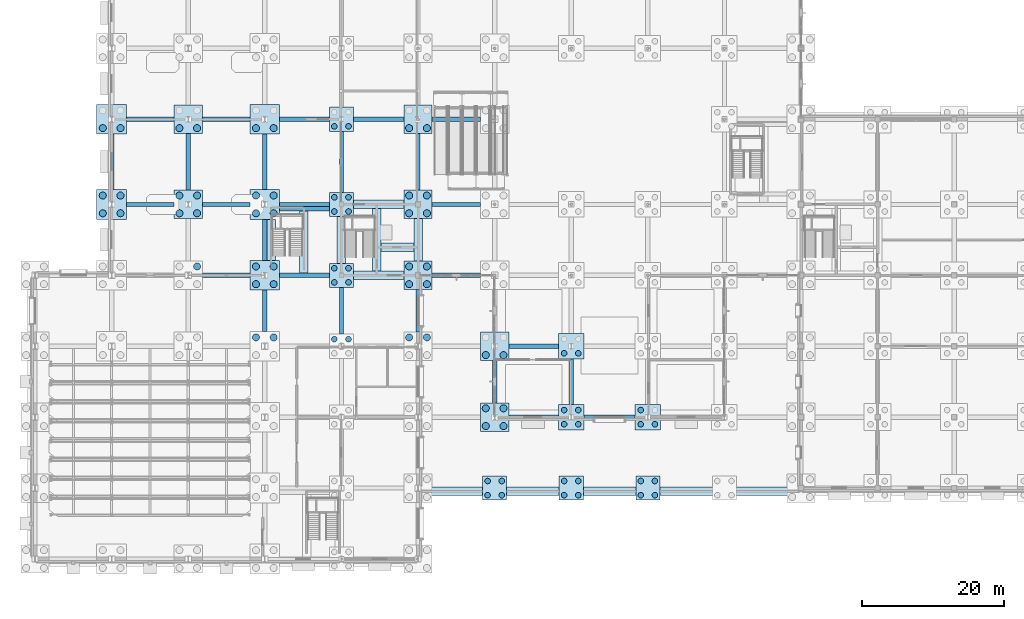
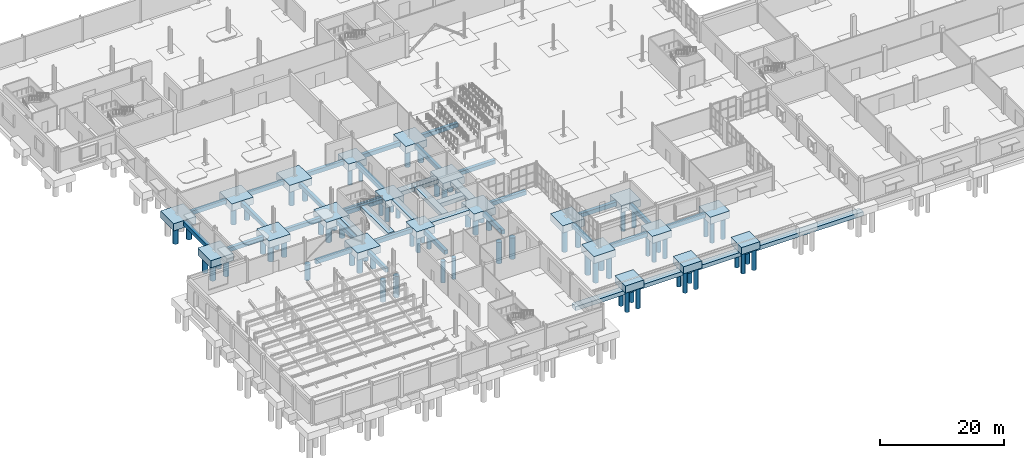
# One storey, part 2 of 73: 76 piles, 57 footings.
"""IFC4 building model written with IfcOpenShell, lengths in metres."""

from ifc_helpers import new_model, si_unit, direction, frame, origin, origin_2d, place, context, subcontext, project, spatial, rectangle, circle, extrude, material, material_profile, profile_set, type_object, element, save


model = new_model("IFC4")

# Units and contexts
model_context = context("Model", 3, precision=1e-05, world=origin(), true_north=direction((0.0, 1.0)))
body_context = subcontext(model_context, "Body", "Model", "MODEL_VIEW")
ifc_project = project(units=[si_unit("LENGTHUNIT", "METRE"), si_unit("AREAUNIT", "SQUARE_METRE"), si_unit("VOLUMEUNIT", "CUBIC_METRE"), si_unit("PLANEANGLEUNIT", "RADIAN"), si_unit("MASSUNIT", "GRAM", prefix="KILO")], contexts=[model_context])

# Site, building, storey
site_placement = place(None, origin())
site = spatial("IfcSite", under=ifc_project, at=site_placement, CompositionType="ELEMENT")
building_placement = place(site_placement, origin())
building = spatial("IfcBuilding", under=site, at=building_placement, Name="Tasgan Crest Museum", CompositionType="ELEMENT")
storey_placement = place(building_placement, origin())
storey = spatial("IfcBuildingStorey", under=building, at=storey_placement, Name="L00", CompositionType="ELEMENT", Elevation=0.0)

# Footings
ifc_material_1 = material(Name="Concrete C35/45", Category="concrete")
footing_type_1 = type_object("IfcFootingType", Name="FT-PC4-3400", PredefinedType="PILE_CAP", material=ifc_material_1)
for number, where, z_axis, x_axis, name in (
    (1, (43.199951171875, 40.0, -1.39990234375), (0.0, 0.0, 1.0), (1.0, 0.0, 0.0), "Pile cap 5/E"),
    (2, (43.199951171875, 50.0, -1.39990234375), (0.0, 0.0, 1.0), (1.0, 0.0, 0.0), "Pile cap 5/F"),
    (3, (43.199951171875, 62.0, -1.39990234375), (0.0, 0.0, 1.0), (1.0, 0.0, 0.0), "Pile cap 5/G"),
    (4, (64.800048828125, 10.0, -1.39990234375), (0.0, 0.0, 1.0), (1.0, 0.0, 0.0), "Forecourt pile cap 7/B"),
    (5, (75.60009765625, 10.0, -1.39990234375), (0.0, 0.0, 1.0), (1.0, 0.0, 0.0), "Forecourt pile cap 8/B"),
    (6, (86.39990234375, 10.0, -1.39990234375), (0.0, 0.0, 1.0), (1.0, 0.0, 0.0), "Forecourt pile cap 9/B"),
):
    element("IfcFooting", number, at=place(storey_placement, frame(where, z_axis=z_axis, x_axis=x_axis)), inside=storey, type_object=footing_type_1, Name=name, PredefinedType="PILE_CAP", context=body_context, shape_type="SweptSolid", body=[
        extrude(rectangle(XDim=3.39990234375, YDim=3.39990234375, at=origin_2d()), origin(), (0.0, 0.0, 1.0), 1.39990234375),
    ])
ifc_material_2 = material(Name="Concrete C35/45", Category="concrete")
footing_type_2 = type_object("IfcFootingType", Name="FT-PC4-3600", PredefinedType="PILE_CAP", material=ifc_material_2)
for number, where, z_axis, x_axis, name in (
    (7, (75.60009765625, 20.0, -1.39990234375), (0.0, 0.0, 1.0), (1.0, 0.0, 0.0), "Pile cap 8/C"),
    (8, (75.60009765625, 30.0, -1.39990234375), (0.0, 0.0, 1.0), (1.0, 0.0, 0.0), "Pile cap 8/D"),
    (9, (86.39990234375, 20.0, -1.39990234375), (0.0, 0.0, 1.0), (1.0, 0.0, 0.0), "Pile cap 9/C"),
):
    element("IfcFooting", number, at=place(storey_placement, frame(where, z_axis=z_axis, x_axis=x_axis)), inside=storey, type_object=footing_type_2, Name=name, PredefinedType="PILE_CAP", context=body_context, shape_type="SweptSolid", body=[
        extrude(rectangle(XDim=3.60009765625, YDim=3.60009765625, at=origin_2d()), origin(), (0.0, 0.0, 1.0), 1.39990234375),
    ])
ifc_material_3 = material(Name="Concrete C35/45", Category="concrete")
footing_type_3 = type_object("IfcFootingType", Name="FT-PC4-4000", PredefinedType="PILE_CAP", material=ifc_material_3)
for number, where, z_axis, x_axis, name in (
    (10, (21.60009765625, 50.0, -1.39990234375), (0.0, 0.0, 1.0), (1.0, 0.0, 0.0), "Pile cap 3/F"),
    (11, (21.60009765625, 62.0, -1.39990234375), (0.0, 0.0, 1.0), (1.0, 0.0, 0.0), "Pile cap 3/G"),
    (12, (54.0, 40.0, -1.39990234375), (0.0, 0.0, 1.0), (1.0, 0.0, 0.0), "Pile cap 6/E"),
    (13, (54.0, 50.0, -1.39990234375), (0.0, 0.0, 1.0), (1.0, 0.0, 0.0), "Pile cap 6/F"),
    (14, (54.0, 62.0, -1.39990234375), (0.0, 0.0, 1.0), (1.0, 0.0, 0.0), "Pile cap 6/G"),
    (15, (64.800048828125, 20.0, -1.39990234375), (0.0, 0.0, 1.0), (1.0, 0.0, 0.0), "Pile cap 7/C"),
    (16, (64.800048828125, 30.0, -1.39990234375), (0.0, 0.0, 1.0), (1.0, 0.0, 0.0), "Pile cap 7/D"),
):
    element("IfcFooting", number, at=place(storey_placement, frame(where, z_axis=z_axis, x_axis=x_axis)), inside=storey, type_object=footing_type_3, Name=name, PredefinedType="PILE_CAP", context=body_context, shape_type="SweptSolid", body=[
        extrude(rectangle(XDim=4.0, YDim=4.0, at=origin_2d()), origin(), (0.0, 0.0, 1.0), 1.39990234375),
    ])
ifc_material_4 = material(Name="Concrete C35/45", Category="concrete")
footing_type_4 = type_object("IfcFootingType", Name="FT-PC4-4200", PredefinedType="PILE_CAP", material=ifc_material_4)
for number, where, z_axis, x_axis, name in (
    (17, (10.800048828125, 50.0, -1.39990234375), (0.0, 0.0, 1.0), (1.0, 0.0, 0.0), "Pile cap 2/F"),
    (18, (10.800048828125, 62.0, -1.39990234375), (0.0, 0.0, 1.0), (1.0, 0.0, 0.0), "Pile cap 2/G"),
    (19, (32.39990234375, 40.0, -1.39990234375), (0.0, 0.0, 1.0), (1.0, 0.0, 0.0), "Pile cap 4/E"),
    (20, (32.39990234375, 50.0, -1.39990234375), (0.0, 0.0, 1.0), (1.0, 0.0, 0.0), "Pile cap 4/F"),
    (21, (32.39990234375, 62.0, -1.39990234375), (0.0, 0.0, 1.0), (1.0, 0.0, 0.0), "Pile cap 4/G"),
):
    element("IfcFooting", number, at=place(storey_placement, frame(where, z_axis=z_axis, x_axis=x_axis)), inside=storey, type_object=footing_type_4, Name=name, PredefinedType="PILE_CAP", context=body_context, shape_type="SweptSolid", body=[
        extrude(rectangle(XDim=4.199951171875, YDim=4.199951171875, at=origin_2d()), origin(), (0.0, 0.0, 1.0), 1.39990234375),
    ])
ifc_material_5 = material(Name="Concrete C35/45", Category="concrete")
ifc_material_profile_1 = material_profile(ifc_material_5, rectangle(XDim=1.199951171875, YDim=0.800048828125, at=origin_2d()), Name="SF 1200x800")
ifc_profile_set_1 = profile_set([ifc_material_profile_1], Name="Concrete C35/45")
footing_type_5 = type_object("IfcFootingType", Name="FT-SF-1200X800", PredefinedType="STRIP_FOOTING", material=ifc_profile_set_1)
footing_1_placement = place(storey_placement, frame((54.199951171875, 9.570068359375, -1.780029296875), z_axis=(1.0, 0.0, 0.0), x_axis=(0.0, 1.0, 0.0)))
element("IfcFooting", 22, at=footing_1_placement, inside=storey, type_object=footing_type_5, Name="Hillside plinth footing S-FORE", PredefinedType="STRIP_FOOTING", context=body_context, shape_type="SweptSolid", body=[
    extrude(rectangle(XDim=1.199951171875, YDim=0.800048828125, at=origin_2d()), origin(), (0.0, 0.0, 1.0), 53.60009765625),
])
footing_2_placement = place(storey_placement, frame((48.14990234375, 40.60009765625, -0.39990234375), z_axis=(0.0, 1.0, 0.0), x_axis=(-1.0, 0.0, 0.0)))
element("IfcFooting", 23, at=footing_2_placement, inside=storey, type_object=footing_type_5, Name="South-West Foyer & Paleontology Core dividing strip footing", PredefinedType="STRIP_FOOTING", context=body_context, shape_type="SweptSolid", body=[
    extrude(rectangle(XDim=1.199951171875, YDim=0.800048828125, at=origin_2d()), origin(), (0.0, 0.0, 1.0), 8.7998046875),
])
footing_3_placement = place(storey_placement, frame((48.75, 43.949951171875, -0.39990234375), z_axis=(1.0, 0.0, 0.0), x_axis=(0.0, 1.0, 0.0)))
element("IfcFooting", 24, at=footing_3_placement, inside=storey, type_object=footing_type_5, Name="South-West Foyer & Paleontology Core shaft strip footing", PredefinedType="STRIP_FOOTING", context=body_context, shape_type="SweptSolid", body=[
    extrude(rectangle(XDim=1.199951171875, YDim=0.800048828125, at=origin_2d()), origin(), (0.0, 0.0, 1.0), 4.64990234375),
])
for number, where, z_axis, x_axis, name in (
    (25, (44.89990234375, 40.0, -0.39990234375), (1.0, 0.0, 0.0), (0.0, 1.0, 0.0), "South-West Foyer & Paleontology Core S strip footing"),
    (26, (44.89990234375, 50.0, -0.39990234375), (1.0, 0.0, 0.0), (0.0, 1.0, 0.0), "South-West Foyer & Paleontology Core N strip footing"),
):
    element("IfcFooting", number, at=place(storey_placement, frame(where, z_axis=z_axis, x_axis=x_axis)), inside=storey, type_object=footing_type_5, Name=name, PredefinedType="STRIP_FOOTING", context=body_context, shape_type="SweptSolid", body=[
        extrude(rectangle(XDim=1.199951171875, YDim=0.800048828125, at=origin_2d()), origin(), (0.0, 0.0, 1.0), 7.10009765625),
    ])
footing_4_placement = place(storey_placement, frame((43.199951171875, 41.699951171875, -0.39990234375), z_axis=(0.0, 1.0, 0.0), x_axis=(-1.0, 0.0, 0.0)))
element("IfcFooting", 27, at=footing_4_placement, inside=storey, type_object=footing_type_5, Name="South-West Foyer & Paleontology Core W strip footing", PredefinedType="STRIP_FOOTING", context=body_context, shape_type="SweptSolid", body=[
    extrude(rectangle(XDim=1.199951171875, YDim=0.800048828125, at=origin_2d()), origin(), (0.0, 0.0, 1.0), 6.60009765625),
])
footing_5_placement = place(storey_placement, frame((54.0, 42.0, -0.39990234375), z_axis=(0.0, 1.0, 0.0), x_axis=(-1.0, 0.0, 0.0)))
element("IfcFooting", 28, at=footing_5_placement, inside=storey, type_object=footing_type_5, Name="South-West Foyer & Paleontology Core E strip footing", PredefinedType="STRIP_FOOTING", context=body_context, shape_type="SweptSolid", body=[
    extrude(rectangle(XDim=1.199951171875, YDim=0.800048828125, at=origin_2d()), origin(), (0.0, 0.0, 1.0), 6.0),
])
footing_6_placement = place(storey_placement, frame((33.320068359375, 42.10009765625, -0.39990234375), z_axis=(0.0, 1.0, 0.0), x_axis=(-1.0, 0.0, 0.0)))
element("IfcFooting", 29, at=footing_6_placement, inside=storey, type_object=footing_type_5, Name="GALP west footing", PredefinedType="STRIP_FOOTING", context=body_context, shape_type="SweptSolid", body=[
    extrude(rectangle(XDim=1.199951171875, YDim=0.800048828125, at=origin_2d()), origin(), (0.0, 0.0, 1.0), 5.7998046875),
])
footing_7_placement = place(storey_placement, frame((37.919921875, 40.300048828125, -0.39990234375), z_axis=(0.0, 1.0, 0.0), x_axis=(-1.0, 0.0, 0.0)))
element("IfcFooting", 30, at=footing_7_placement, inside=storey, type_object=footing_type_5, Name="GALP east footing", PredefinedType="STRIP_FOOTING", context=body_context, shape_type="SweptSolid", body=[
    extrude(rectangle(XDim=1.199951171875, YDim=0.800048828125, at=origin_2d()), origin(), (0.0, 0.0, 1.0), 8.800048828125),
])
ifc_material_6 = material(Name="Concrete C35/45", Category="concrete")
ifc_material_profile_2 = material_profile(ifc_material_6, rectangle(XDim=0.60009765625, YDim=0.800048828125, at=origin_2d()), Name="TB 600x800")
ifc_profile_set_2 = profile_set([ifc_material_profile_2], Name="Concrete C35/45")
footing_type_6 = type_object("IfcFootingType", Name="FT-TB-600X800", PredefinedType="FOOTING_BEAM", material=ifc_profile_set_2)
footing_8_placement = place(storey_placement, frame((66.800048828125, 20.0, -0.550048828125), z_axis=(1.0, 0.0, 0.0), x_axis=(0.0, 1.0, 0.0)))
element("IfcFooting", 31, at=footing_8_placement, inside=storey, type_object=footing_type_6, Name="Ground tie beam C 64.8-75.6", PredefinedType="FOOTING_BEAM", context=body_context, shape_type="SweptSolid", body=[
    extrude(rectangle(XDim=0.60009765625, YDim=0.800048828125, at=origin_2d()), origin(), (0.0, 0.0, 1.0), 7.0),
])
footing_9_placement = place(storey_placement, frame((77.39990234375, 20.0, -0.550048828125), z_axis=(1.0, 0.0, 0.0), x_axis=(0.0, 1.0, 0.0)))
element("IfcFooting", 32, at=footing_9_placement, inside=storey, type_object=footing_type_6, Name="Ground tie beam C 75.6-86.4", PredefinedType="FOOTING_BEAM", context=body_context, shape_type="SweptSolid", body=[
    extrude(rectangle(XDim=0.60009765625, YDim=0.800048828125, at=origin_2d()), origin(), (0.0, 0.0, 1.0), 7.2001953125),
])
footing_10_placement = place(storey_placement, frame((66.800048828125, 30.0, -0.550048828125), z_axis=(1.0, 0.0, 0.0), x_axis=(0.0, 1.0, 0.0)))
element("IfcFooting", 33, at=footing_10_placement, inside=storey, type_object=footing_type_6, Name="Ground tie beam D 64.8-75.6", PredefinedType="FOOTING_BEAM", context=body_context, shape_type="SweptSolid", body=[
    extrude(rectangle(XDim=0.60009765625, YDim=0.800048828125, at=origin_2d()), origin(), (0.0, 0.0, 1.0), 7.0),
])
footing_11_placement = place(storey_placement, frame((23.60009765625, 40.0, -0.550048828125), z_axis=(1.0, 0.0, 0.0), x_axis=(0.0, 1.0, 0.0)))
element("IfcFooting", 34, at=footing_11_placement, inside=storey, type_object=footing_type_6, Name="Ground tie beam E 21.6-32.4", PredefinedType="FOOTING_BEAM", context=body_context, shape_type="SweptSolid", body=[
    extrude(rectangle(XDim=0.60009765625, YDim=0.800048828125, at=origin_2d()), origin(), (0.0, 0.0, 1.0), 6.699951171875),
])
footing_12_placement = place(storey_placement, frame((34.5, 40.0, -0.550048828125), z_axis=(1.0, 0.0, 0.0), x_axis=(0.0, 1.0, 0.0)))
element("IfcFooting", 35, at=footing_12_placement, inside=storey, type_object=footing_type_6, Name="Ground tie beam E 32.4-43.2", PredefinedType="FOOTING_BEAM", context=body_context, shape_type="SweptSolid", body=[
    extrude(rectangle(XDim=0.60009765625, YDim=0.800048828125, at=origin_2d()), origin(), (0.0, 0.0, 1.0), 7.0),
])
footing_13_placement = place(storey_placement, frame((56.0, 40.0, -0.550048828125), z_axis=(1.0, 0.0, 0.0), x_axis=(0.0, 1.0, 0.0)))
element("IfcFooting", 36, at=footing_13_placement, inside=storey, type_object=footing_type_6, Name="Ground tie beam E 54.0-64.8", PredefinedType="FOOTING_BEAM", context=body_context, shape_type="SweptSolid", body=[
    extrude(rectangle(XDim=0.60009765625, YDim=0.800048828125, at=origin_2d()), origin(), (0.0, 0.0, 1.0), 6.800048828125),
])
footing_14_placement = place(storey_placement, frame((12.89990234375, 50.0, -0.550048828125), z_axis=(1.0, 0.0, 0.0), x_axis=(0.0, 1.0, 0.0)))
element("IfcFooting", 37, at=footing_14_placement, inside=storey, type_object=footing_type_6, Name="Ground tie beam F 10.8-21.6", PredefinedType="FOOTING_BEAM", context=body_context, shape_type="SweptSolid", body=[
    extrude(rectangle(XDim=0.60009765625, YDim=0.800048828125, at=origin_2d()), origin(), (0.0, 0.0, 1.0), 6.7001953125),
])
footing_15_placement = place(storey_placement, frame((23.60009765625, 50.0, -0.550048828125), z_axis=(1.0, 0.0, 0.0), x_axis=(0.0, 1.0, 0.0)))
element("IfcFooting", 38, at=footing_15_placement, inside=storey, type_object=footing_type_6, Name="Ground tie beam F 21.6-32.4", PredefinedType="FOOTING_BEAM", context=body_context, shape_type="SweptSolid", body=[
    extrude(rectangle(XDim=0.60009765625, YDim=0.800048828125, at=origin_2d()), origin(), (0.0, 0.0, 1.0), 6.699951171875),
])
footing_16_placement = place(storey_placement, frame((34.5, 50.0, -0.550048828125), z_axis=(1.0, 0.0, 0.0), x_axis=(0.0, 1.0, 0.0)))
element("IfcFooting", 39, at=footing_16_placement, inside=storey, type_object=footing_type_6, Name="Ground tie beam F 32.4-43.2", PredefinedType="FOOTING_BEAM", context=body_context, shape_type="SweptSolid", body=[
    extrude(rectangle(XDim=0.60009765625, YDim=0.800048828125, at=origin_2d()), origin(), (0.0, 0.0, 1.0), 7.0),
])
footing_17_placement = place(storey_placement, frame((56.0, 50.0, -0.550048828125), z_axis=(1.0, 0.0, 0.0), x_axis=(0.0, 1.0, 0.0)))
element("IfcFooting", 40, at=footing_17_placement, inside=storey, type_object=footing_type_6, Name="Ground tie beam F 54.0-64.8", PredefinedType="FOOTING_BEAM", context=body_context, shape_type="SweptSolid", body=[
    extrude(rectangle(XDim=0.60009765625, YDim=0.800048828125, at=origin_2d()), origin(), (0.0, 0.0, 1.0), 6.800048828125),
])
footing_18_placement = place(storey_placement, frame((12.89990234375, 62.0, -0.550048828125), z_axis=(1.0, 0.0, 0.0), x_axis=(0.0, 1.0, 0.0)))
element("IfcFooting", 41, at=footing_18_placement, inside=storey, type_object=footing_type_6, Name="Ground tie beam G 10.8-21.6", PredefinedType="FOOTING_BEAM", context=body_context, shape_type="SweptSolid", body=[
    extrude(rectangle(XDim=0.60009765625, YDim=0.800048828125, at=origin_2d()), origin(), (0.0, 0.0, 1.0), 6.7001953125),
])
footing_19_placement = place(storey_placement, frame((23.60009765625, 62.0, -0.550048828125), z_axis=(1.0, 0.0, 0.0), x_axis=(0.0, 1.0, 0.0)))
element("IfcFooting", 42, at=footing_19_placement, inside=storey, type_object=footing_type_6, Name="Ground tie beam G 21.6-32.4", PredefinedType="FOOTING_BEAM", context=body_context, shape_type="SweptSolid", body=[
    extrude(rectangle(XDim=0.60009765625, YDim=0.800048828125, at=origin_2d()), origin(), (0.0, 0.0, 1.0), 6.699951171875),
])
footing_20_placement = place(storey_placement, frame((34.5, 62.0, -0.550048828125), z_axis=(1.0, 0.0, 0.0), x_axis=(0.0, 1.0, 0.0)))
element("IfcFooting", 43, at=footing_20_placement, inside=storey, type_object=footing_type_6, Name="Ground tie beam G 32.4-43.2", PredefinedType="FOOTING_BEAM", context=body_context, shape_type="SweptSolid", body=[
    extrude(rectangle(XDim=0.60009765625, YDim=0.800048828125, at=origin_2d()), origin(), (0.0, 0.0, 1.0), 7.0),
])
footing_21_placement = place(storey_placement, frame((44.89990234375, 62.0, -0.550048828125), z_axis=(1.0, 0.0, 0.0), x_axis=(0.0, 1.0, 0.0)))
element("IfcFooting", 44, at=footing_21_placement, inside=storey, type_object=footing_type_6, Name="Ground tie beam G 43.2-54.0", PredefinedType="FOOTING_BEAM", context=body_context, shape_type="SweptSolid", body=[
    extrude(rectangle(XDim=0.60009765625, YDim=0.800048828125, at=origin_2d()), origin(), (0.0, 0.0, 1.0), 7.10009765625),
])
footing_22_placement = place(storey_placement, frame((56.0, 62.0, -0.550048828125), z_axis=(1.0, 0.0, 0.0), x_axis=(0.0, 1.0, 0.0)))
element("IfcFooting", 45, at=footing_22_placement, inside=storey, type_object=footing_type_6, Name="Ground tie beam G 54.0-64.8", PredefinedType="FOOTING_BEAM", context=body_context, shape_type="SweptSolid", body=[
    extrude(rectangle(XDim=0.60009765625, YDim=0.800048828125, at=origin_2d()), origin(), (0.0, 0.0, 1.0), 6.800048828125),
])
footing_23_placement = place(storey_placement, frame((10.800048828125, 52.10009765625, -0.550048828125), z_axis=(0.0, 1.0, 0.0), x_axis=(-1.0, 0.0, 0.0)))
element("IfcFooting", 46, at=footing_23_placement, inside=storey, type_object=footing_type_6, Name="Ground tie beam 2 50.0-62.0", PredefinedType="FOOTING_BEAM", context=body_context, shape_type="SweptSolid", body=[
    extrude(rectangle(XDim=0.60009765625, YDim=0.800048828125, at=origin_2d()), origin(), (0.0, 0.0, 1.0), 7.7998046875),
])
footing_24_placement = place(storey_placement, frame((21.60009765625, 52.0, -0.550048828125), z_axis=(0.0, 1.0, 0.0), x_axis=(-1.0, 0.0, 0.0)))
element("IfcFooting", 47, at=footing_24_placement, inside=storey, type_object=footing_type_6, Name="Ground tie beam 3 50.0-62.0", PredefinedType="FOOTING_BEAM", context=body_context, shape_type="SweptSolid", body=[
    extrude(rectangle(XDim=0.60009765625, YDim=0.800048828125, at=origin_2d()), origin(), (0.0, 0.0, 1.0), 8.0),
])
for number, where, z_axis, x_axis, name in (
    (48, (32.39990234375, 32.10009765625, -0.550048828125), (0.0, 1.0, 0.0), (-1.0, 0.0, 0.0), "Ground tie beam 4 30.0-40.0"),
    (49, (32.39990234375, 42.10009765625, -0.550048828125), (0.0, 1.0, 0.0), (-1.0, 0.0, 0.0), "Ground tie beam 4 40.0-50.0"),
):
    element("IfcFooting", number, at=place(storey_placement, frame(where, z_axis=z_axis, x_axis=x_axis)), inside=storey, type_object=footing_type_6, Name=name, PredefinedType="FOOTING_BEAM", context=body_context, shape_type="SweptSolid", body=[
        extrude(rectangle(XDim=0.60009765625, YDim=0.800048828125, at=origin_2d()), origin(), (0.0, 0.0, 1.0), 5.7998046875),
    ])
footing_25_placement = place(storey_placement, frame((32.39990234375, 52.10009765625, -0.550048828125), z_axis=(0.0, 1.0, 0.0), x_axis=(-1.0, 0.0, 0.0)))
element("IfcFooting", 50, at=footing_25_placement, inside=storey, type_object=footing_type_6, Name="Ground tie beam 4 50.0-62.0", PredefinedType="FOOTING_BEAM", context=body_context, shape_type="SweptSolid", body=[
    extrude(rectangle(XDim=0.60009765625, YDim=0.800048828125, at=origin_2d()), origin(), (0.0, 0.0, 1.0), 7.7998046875),
])
footing_26_placement = place(storey_placement, frame((43.199951171875, 31.699951171875, -0.550048828125), z_axis=(0.0, 1.0, 0.0), x_axis=(-1.0, 0.0, 0.0)))
element("IfcFooting", 51, at=footing_26_placement, inside=storey, type_object=footing_type_6, Name="Ground tie beam 5 30.0-40.0", PredefinedType="FOOTING_BEAM", context=body_context, shape_type="SweptSolid", body=[
    extrude(rectangle(XDim=0.60009765625, YDim=0.800048828125, at=origin_2d()), origin(), (0.0, 0.0, 1.0), 6.60009765625),
])
footing_27_placement = place(storey_placement, frame((43.199951171875, 51.699951171875, -0.550048828125), z_axis=(0.0, 1.0, 0.0), x_axis=(-1.0, 0.0, 0.0)))
element("IfcFooting", 52, at=footing_27_placement, inside=storey, type_object=footing_type_6, Name="Ground tie beam 5 50.0-62.0", PredefinedType="FOOTING_BEAM", context=body_context, shape_type="SweptSolid", body=[
    extrude(rectangle(XDim=0.60009765625, YDim=0.800048828125, at=origin_2d()), origin(), (0.0, 0.0, 1.0), 8.60009765625),
])
footing_28_placement = place(storey_placement, frame((54.0, 32.0, -0.550048828125), z_axis=(0.0, 1.0, 0.0), x_axis=(-1.0, 0.0, 0.0)))
element("IfcFooting", 53, at=footing_28_placement, inside=storey, type_object=footing_type_6, Name="Ground tie beam 6 30.0-40.0", PredefinedType="FOOTING_BEAM", context=body_context, shape_type="SweptSolid", body=[
    extrude(rectangle(XDim=0.60009765625, YDim=0.800048828125, at=origin_2d()), origin(), (0.0, 0.0, 1.0), 6.0),
])
footing_29_placement = place(storey_placement, frame((54.0, 52.0, -0.550048828125), z_axis=(0.0, 1.0, 0.0), x_axis=(-1.0, 0.0, 0.0)))
element("IfcFooting", 54, at=footing_29_placement, inside=storey, type_object=footing_type_6, Name="Ground tie beam 6 50.0-62.0", PredefinedType="FOOTING_BEAM", context=body_context, shape_type="SweptSolid", body=[
    extrude(rectangle(XDim=0.60009765625, YDim=0.800048828125, at=origin_2d()), origin(), (0.0, 0.0, 1.0), 8.0),
])
footing_30_placement = place(storey_placement, frame((64.800048828125, 22.0, -0.550048828125), z_axis=(0.0, 1.0, 0.0), x_axis=(-1.0, 0.0, 0.0)))
element("IfcFooting", 55, at=footing_30_placement, inside=storey, type_object=footing_type_6, Name="Ground tie beam 7 20.0-30.0", PredefinedType="FOOTING_BEAM", context=body_context, shape_type="SweptSolid", body=[
    extrude(rectangle(XDim=0.60009765625, YDim=0.800048828125, at=origin_2d()), origin(), (0.0, 0.0, 1.0), 6.0),
])
footing_31_placement = place(storey_placement, frame((75.60009765625, 21.800048828125, -0.550048828125), z_axis=(0.0, 1.0, 0.0), x_axis=(-1.0, 0.0, 0.0)))
element("IfcFooting", 56, at=footing_31_placement, inside=storey, type_object=footing_type_6, Name="Ground tie beam 8 20.0-30.0", PredefinedType="FOOTING_BEAM", context=body_context, shape_type="SweptSolid", body=[
    extrude(rectangle(XDim=0.60009765625, YDim=0.800048828125, at=origin_2d()), origin(), (0.0, 0.0, 1.0), 6.39990234375),
])
footing_32_placement = place(storey_placement, frame((34.5, 49.39990234375, -0.39990234375), z_axis=(1.0, 0.0, 0.0), x_axis=(0.0, 1.0, 0.0)))
element("IfcFooting", 57, at=footing_32_placement, inside=storey, type_object=footing_type_6, Name="GALP north footing", PredefinedType="FOOTING_BEAM", context=body_context, shape_type="SweptSolid", body=[
    extrude(rectangle(XDim=0.60009765625, YDim=0.800048828125, at=origin_2d()), origin(), (0.0, 0.0, 1.0), 7.0),
])

# Piles
ifc_material_7 = material(Name="Concrete C35/45", Category="concrete")
ifc_material_profile_3 = material_profile(ifc_material_7, circle(Radius=0.5, at=origin_2d()), Name="PILE D1000")
ifc_profile_set_3 = profile_set([ifc_material_profile_3], Name="Concrete C35/45")
pile_type_1 = type_object("IfcPileType", Name="PILE-B1000", PredefinedType="BORED", material=ifc_profile_set_3)
for number, where, z_axis, x_axis, name in (
    (58, (9.550048828125, 48.75, -1.39990234375), (0.0, 0.0, -1.0), (1.0, 0.0, 0.0), "Bored pile 2/F-P1"),
    (59, (12.050048828125, 48.75, -1.39990234375), (0.0, 0.0, -1.0), (1.0, 0.0, 0.0), "Bored pile 2/F-P2"),
    (60, (9.550048828125, 51.25, -1.39990234375), (0.0, 0.0, -1.0), (1.0, 0.0, 0.0), "Bored pile 2/F-P3"),
    (61, (12.050048828125, 51.25, -1.39990234375), (0.0, 0.0, -1.0), (1.0, 0.0, 0.0), "Bored pile 2/F-P4"),
    (62, (9.550048828125, 60.75, -1.39990234375), (0.0, 0.0, -1.0), (1.0, 0.0, 0.0), "Bored pile 2/G-P1"),
    (63, (12.050048828125, 60.75, -1.39990234375), (0.0, 0.0, -1.0), (1.0, 0.0, 0.0), "Bored pile 2/G-P2"),
    (64, (22.85009765625, 41.25, -1.39990234375), (0.0, 0.0, -1.0), (1.0, 0.0, 0.0), "Bored pile 3/E-P4"),
    (65, (20.35009765625, 48.75, -1.39990234375), (0.0, 0.0, -1.0), (1.0, 0.0, 0.0), "Bored pile 3/F-P1"),
    (66, (22.85009765625, 48.75, -1.39990234375), (0.0, 0.0, -1.0), (1.0, 0.0, 0.0), "Bored pile 3/F-P2"),
    (67, (20.35009765625, 51.25, -1.39990234375), (0.0, 0.0, -1.0), (1.0, 0.0, 0.0), "Bored pile 3/F-P3"),
    (68, (22.85009765625, 51.25, -1.39990234375), (0.0, 0.0, -1.0), (1.0, 0.0, 0.0), "Bored pile 3/F-P4"),
    (69, (20.35009765625, 60.75, -1.39990234375), (0.0, 0.0, -1.0), (1.0, 0.0, 0.0), "Bored pile 3/G-P1"),
    (70, (22.85009765625, 60.75, -1.39990234375), (0.0, 0.0, -1.0), (1.0, 0.0, 0.0), "Bored pile 3/G-P2"),
):
    element("IfcPile", number, at=place(storey_placement, frame(where, z_axis=z_axis, x_axis=x_axis)), inside=storey, type_object=pile_type_1, Name=name, PredefinedType="BORED", context=body_context, shape_type="SweptSolid", body=[
        extrude(circle(Radius=0.5, at=origin_2d()), origin(), (0.0, 0.0, 1.0), 3.10009765625),
    ])
for number, where, z_axis, x_axis, name in (
    (71, (31.14990234375, 31.25, -1.39990234375), (0.0, 0.0, -1.0), (1.0, 0.0, 0.0), "Bored pile 4/D-P3"),
    (72, (33.64990234375, 31.25, -1.39990234375), (0.0, 0.0, -1.0), (1.0, 0.0, 0.0), "Bored pile 4/D-P4"),
):
    element("IfcPile", number, at=place(storey_placement, frame(where, z_axis=z_axis, x_axis=x_axis)), inside=storey, type_object=pile_type_1, Name=name, PredefinedType="BORED", context=body_context, shape_type="SweptSolid", body=[
        extrude(circle(Radius=0.5, at=origin_2d()), origin(), (0.0, 0.0, 1.0), 4.199951171875),
    ])
for number, where, z_axis, x_axis, name in (
    (73, (31.14990234375, 38.75, -1.39990234375), (0.0, 0.0, -1.0), (1.0, 0.0, 0.0), "Bored pile 4/E-P1"),
    (74, (33.64990234375, 38.75, -1.39990234375), (0.0, 0.0, -1.0), (1.0, 0.0, 0.0), "Bored pile 4/E-P2"),
    (75, (31.14990234375, 41.25, -1.39990234375), (0.0, 0.0, -1.0), (1.0, 0.0, 0.0), "Bored pile 4/E-P3"),
    (76, (33.64990234375, 41.25, -1.39990234375), (0.0, 0.0, -1.0), (1.0, 0.0, 0.0), "Bored pile 4/E-P4"),
    (77, (31.14990234375, 48.75, -1.39990234375), (0.0, 0.0, -1.0), (1.0, 0.0, 0.0), "Bored pile 4/F-P1"),
    (78, (33.64990234375, 48.75, -1.39990234375), (0.0, 0.0, -1.0), (1.0, 0.0, 0.0), "Bored pile 4/F-P2"),
    (79, (31.14990234375, 51.25, -1.39990234375), (0.0, 0.0, -1.0), (1.0, 0.0, 0.0), "Bored pile 4/F-P3"),
    (80, (33.64990234375, 51.25, -1.39990234375), (0.0, 0.0, -1.0), (1.0, 0.0, 0.0), "Bored pile 4/F-P4"),
    (81, (31.14990234375, 60.75, -1.39990234375), (0.0, 0.0, -1.0), (1.0, 0.0, 0.0), "Bored pile 4/G-P1"),
    (82, (33.64990234375, 60.75, -1.39990234375), (0.0, 0.0, -1.0), (1.0, 0.0, 0.0), "Bored pile 4/G-P2"),
):
    element("IfcPile", number, at=place(storey_placement, frame(where, z_axis=z_axis, x_axis=x_axis)), inside=storey, type_object=pile_type_1, Name=name, PredefinedType="BORED", context=body_context, shape_type="SweptSolid", body=[
        extrude(circle(Radius=0.5, at=origin_2d()), origin(), (0.0, 0.0, 1.0), 3.10009765625),
    ])
for number, where, z_axis, x_axis, name in (
    (83, (52.75, 31.25, -1.39990234375), (0.0, 0.0, -1.0), (1.0, 0.0, 0.0), "Bored pile 6/D-P3"),
    (84, (55.25, 31.25, -1.39990234375), (0.0, 0.0, -1.0), (1.0, 0.0, 0.0), "Bored pile 6/D-P4"),
):
    element("IfcPile", number, at=place(storey_placement, frame(where, z_axis=z_axis, x_axis=x_axis)), inside=storey, type_object=pile_type_1, Name=name, PredefinedType="BORED", context=body_context, shape_type="SweptSolid", body=[
        extrude(circle(Radius=0.5, at=origin_2d()), origin(), (0.0, 0.0, 1.0), 4.199951171875),
    ])
for number, where, z_axis, x_axis, name in (
    (85, (52.75, 38.75, -1.39990234375), (0.0, 0.0, -1.0), (1.0, 0.0, 0.0), "Bored pile 6/E-P1"),
    (86, (55.25, 38.75, -1.39990234375), (0.0, 0.0, -1.0), (1.0, 0.0, 0.0), "Bored pile 6/E-P2"),
    (87, (52.75, 41.25, -1.39990234375), (0.0, 0.0, -1.0), (1.0, 0.0, 0.0), "Bored pile 6/E-P3"),
    (88, (55.25, 41.25, -1.39990234375), (0.0, 0.0, -1.0), (1.0, 0.0, 0.0), "Bored pile 6/E-P4"),
    (89, (52.75, 48.75, -1.39990234375), (0.0, 0.0, -1.0), (1.0, 0.0, 0.0), "Bored pile 6/F-P1"),
    (90, (55.25, 48.75, -1.39990234375), (0.0, 0.0, -1.0), (1.0, 0.0, 0.0), "Bored pile 6/F-P2"),
    (91, (52.75, 51.25, -1.39990234375), (0.0, 0.0, -1.0), (1.0, 0.0, 0.0), "Bored pile 6/F-P3"),
    (92, (55.25, 51.25, -1.39990234375), (0.0, 0.0, -1.0), (1.0, 0.0, 0.0), "Bored pile 6/F-P4"),
    (93, (52.75, 60.75, -1.39990234375), (0.0, 0.0, -1.0), (1.0, 0.0, 0.0), "Bored pile 6/G-P1"),
    (94, (55.25, 60.75, -1.39990234375), (0.0, 0.0, -1.0), (1.0, 0.0, 0.0), "Bored pile 6/G-P2"),
):
    element("IfcPile", number, at=place(storey_placement, frame(where, z_axis=z_axis, x_axis=x_axis)), inside=storey, type_object=pile_type_1, Name=name, PredefinedType="BORED", context=body_context, shape_type="SweptSolid", body=[
        extrude(circle(Radius=0.5, at=origin_2d()), origin(), (0.0, 0.0, 1.0), 3.10009765625),
    ])
for number, where, z_axis, x_axis, name in (
    (95, (63.550048828125, 18.75, -1.39990234375), (0.0, 0.0, -1.0), (1.0, 0.0, 0.0), "Bored pile 7/C-P1"),
    (96, (66.050048828125, 18.75, -1.39990234375), (0.0, 0.0, -1.0), (1.0, 0.0, 0.0), "Bored pile 7/C-P2"),
    (97, (63.550048828125, 21.25, -1.39990234375), (0.0, 0.0, -1.0), (1.0, 0.0, 0.0), "Bored pile 7/C-P3"),
    (98, (66.050048828125, 21.25, -1.39990234375), (0.0, 0.0, -1.0), (1.0, 0.0, 0.0), "Bored pile 7/C-P4"),
    (99, (63.550048828125, 28.75, -1.39990234375), (0.0, 0.0, -1.0), (1.0, 0.0, 0.0), "Bored pile 7/D-P1"),
    (100, (66.050048828125, 28.75, -1.39990234375), (0.0, 0.0, -1.0), (1.0, 0.0, 0.0), "Bored pile 7/D-P2"),
):
    element("IfcPile", number, at=place(storey_placement, frame(where, z_axis=z_axis, x_axis=x_axis)), inside=storey, type_object=pile_type_1, Name=name, PredefinedType="BORED", context=body_context, shape_type="SweptSolid", body=[
        extrude(circle(Radius=0.5, at=origin_2d()), origin(), (0.0, 0.0, 1.0), 4.199951171875),
    ])
ifc_material_8 = material(Name="Concrete C35/45", Category="concrete")
ifc_material_profile_4 = material_profile(ifc_material_8, circle(Radius=0.39990234375, at=origin_2d()), Name="PILE D800")
ifc_profile_set_4 = profile_set([ifc_material_profile_4], Name="Concrete C35/45")
pile_type_2 = type_object("IfcPileType", Name="PILE-B800", PredefinedType="BORED", material=ifc_profile_set_4)
for number, where, z_axis, x_axis, name in (
    (101, (42.199951171875, 31.0, -1.39990234375), (0.0, 0.0, -1.0), (1.0, 0.0, 0.0), "Bored pile 5/D-P3"),
    (102, (44.199951171875, 31.0, -1.39990234375), (0.0, 0.0, -1.0), (1.0, 0.0, 0.0), "Bored pile 5/D-P4"),
):
    element("IfcPile", number, at=place(storey_placement, frame(where, z_axis=z_axis, x_axis=x_axis)), inside=storey, type_object=pile_type_2, Name=name, PredefinedType="BORED", context=body_context, shape_type="SweptSolid", body=[
        extrude(circle(Radius=0.39990234375, at=origin_2d()), origin(), (0.0, 0.0, 1.0), 4.199951171875),
    ])
for number, where, z_axis, x_axis, name in (
    (103, (42.199951171875, 39.0, -1.39990234375), (0.0, 0.0, -1.0), (1.0, 0.0, 0.0), "Bored pile 5/E-P1"),
    (104, (44.199951171875, 39.0, -1.39990234375), (0.0, 0.0, -1.0), (1.0, 0.0, 0.0), "Bored pile 5/E-P2"),
    (105, (42.199951171875, 41.0, -1.39990234375), (0.0, 0.0, -1.0), (1.0, 0.0, 0.0), "Bored pile 5/E-P3"),
    (106, (44.199951171875, 41.0, -1.39990234375), (0.0, 0.0, -1.0), (1.0, 0.0, 0.0), "Bored pile 5/E-P4"),
    (107, (42.199951171875, 49.0, -1.39990234375), (0.0, 0.0, -1.0), (1.0, 0.0, 0.0), "Bored pile 5/F-P1"),
    (108, (44.199951171875, 49.0, -1.39990234375), (0.0, 0.0, -1.0), (1.0, 0.0, 0.0), "Bored pile 5/F-P2"),
    (109, (42.199951171875, 51.0, -1.39990234375), (0.0, 0.0, -1.0), (1.0, 0.0, 0.0), "Bored pile 5/F-P3"),
    (110, (44.199951171875, 51.0, -1.39990234375), (0.0, 0.0, -1.0), (1.0, 0.0, 0.0), "Bored pile 5/F-P4"),
    (111, (42.199951171875, 61.0, -1.39990234375), (0.0, 0.0, -1.0), (1.0, 0.0, 0.0), "Bored pile 5/G-P1"),
    (112, (44.199951171875, 61.0, -1.39990234375), (0.0, 0.0, -1.0), (1.0, 0.0, 0.0), "Bored pile 5/G-P2"),
):
    element("IfcPile", number, at=place(storey_placement, frame(where, z_axis=z_axis, x_axis=x_axis)), inside=storey, type_object=pile_type_2, Name=name, PredefinedType="BORED", context=body_context, shape_type="SweptSolid", body=[
        extrude(circle(Radius=0.39990234375, at=origin_2d()), origin(), (0.0, 0.0, 1.0), 3.10009765625),
    ])
for number, where, z_axis, x_axis, name in (
    (113, (74.60009765625, 19.0, -1.39990234375), (0.0, 0.0, -1.0), (1.0, 0.0, 0.0), "Bored pile 8/C-P1"),
    (114, (76.60009765625, 19.0, -1.39990234375), (0.0, 0.0, -1.0), (1.0, 0.0, 0.0), "Bored pile 8/C-P2"),
    (115, (74.60009765625, 21.0, -1.39990234375), (0.0, 0.0, -1.0), (1.0, 0.0, 0.0), "Bored pile 8/C-P3"),
    (116, (76.60009765625, 21.0, -1.39990234375), (0.0, 0.0, -1.0), (1.0, 0.0, 0.0), "Bored pile 8/C-P4"),
    (117, (74.60009765625, 29.0, -1.39990234375), (0.0, 0.0, -1.0), (1.0, 0.0, 0.0), "Bored pile 8/D-P1"),
    (118, (76.60009765625, 29.0, -1.39990234375), (0.0, 0.0, -1.0), (1.0, 0.0, 0.0), "Bored pile 8/D-P2"),
    (119, (85.39990234375, 19.0, -1.39990234375), (0.0, 0.0, -1.0), (1.0, 0.0, 0.0), "Bored pile 9/C-P1"),
    (120, (87.39990234375, 19.0, -1.39990234375), (0.0, 0.0, -1.0), (1.0, 0.0, 0.0), "Bored pile 9/C-P2"),
    (121, (85.39990234375, 21.0, -1.39990234375), (0.0, 0.0, -1.0), (1.0, 0.0, 0.0), "Bored pile 9/C-P3"),
    (122, (63.800048828125, 9.0, -1.39990234375), (0.0, 0.0, -1.0), (1.0, 0.0, 0.0), "Forecourt pile 7-P1"),
    (123, (65.800048828125, 9.0, -1.39990234375), (0.0, 0.0, -1.0), (1.0, 0.0, 0.0), "Forecourt pile 7-P2"),
    (124, (63.800048828125, 11.0, -1.39990234375), (0.0, 0.0, -1.0), (1.0, 0.0, 0.0), "Forecourt pile 7-P3"),
    (125, (65.800048828125, 11.0, -1.39990234375), (0.0, 0.0, -1.0), (1.0, 0.0, 0.0), "Forecourt pile 7-P4"),
    (126, (74.60009765625, 9.0, -1.39990234375), (0.0, 0.0, -1.0), (1.0, 0.0, 0.0), "Forecourt pile 8-P1"),
    (127, (76.60009765625, 9.0, -1.39990234375), (0.0, 0.0, -1.0), (1.0, 0.0, 0.0), "Forecourt pile 8-P2"),
    (128, (74.60009765625, 11.0, -1.39990234375), (0.0, 0.0, -1.0), (1.0, 0.0, 0.0), "Forecourt pile 8-P3"),
    (129, (76.60009765625, 11.0, -1.39990234375), (0.0, 0.0, -1.0), (1.0, 0.0, 0.0), "Forecourt pile 8-P4"),
    (130, (85.39990234375, 9.0, -1.39990234375), (0.0, 0.0, -1.0), (1.0, 0.0, 0.0), "Forecourt pile 9-P1"),
    (131, (87.39990234375, 9.0, -1.39990234375), (0.0, 0.0, -1.0), (1.0, 0.0, 0.0), "Forecourt pile 9-P2"),
    (132, (85.39990234375, 11.0, -1.39990234375), (0.0, 0.0, -1.0), (1.0, 0.0, 0.0), "Forecourt pile 9-P3"),
    (133, (87.39990234375, 11.0, -1.39990234375), (0.0, 0.0, -1.0), (1.0, 0.0, 0.0), "Forecourt pile 9-P4"),
):
    element("IfcPile", number, at=place(storey_placement, frame(where, z_axis=z_axis, x_axis=x_axis)), inside=storey, type_object=pile_type_2, Name=name, PredefinedType="BORED", context=body_context, shape_type="SweptSolid", body=[
        extrude(circle(Radius=0.39990234375, at=origin_2d()), origin(), (0.0, 0.0, 1.0), 4.199951171875),
    ])

save(model, "model.ifc")
